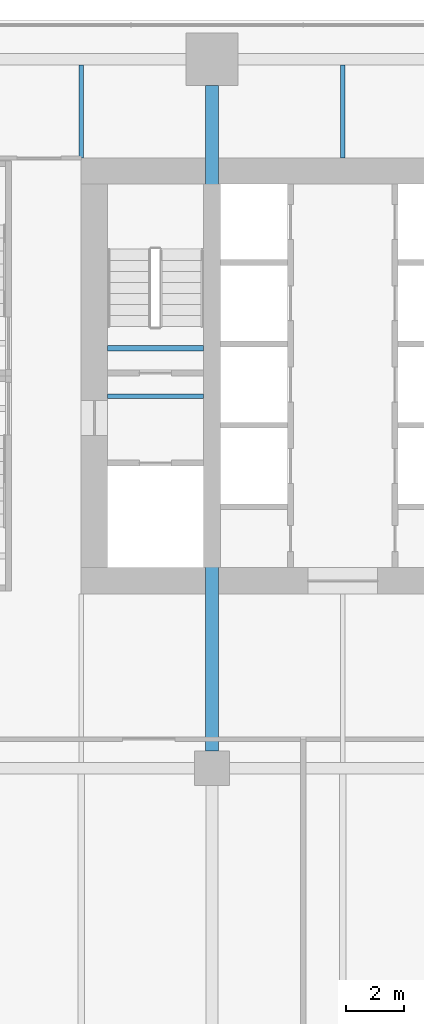
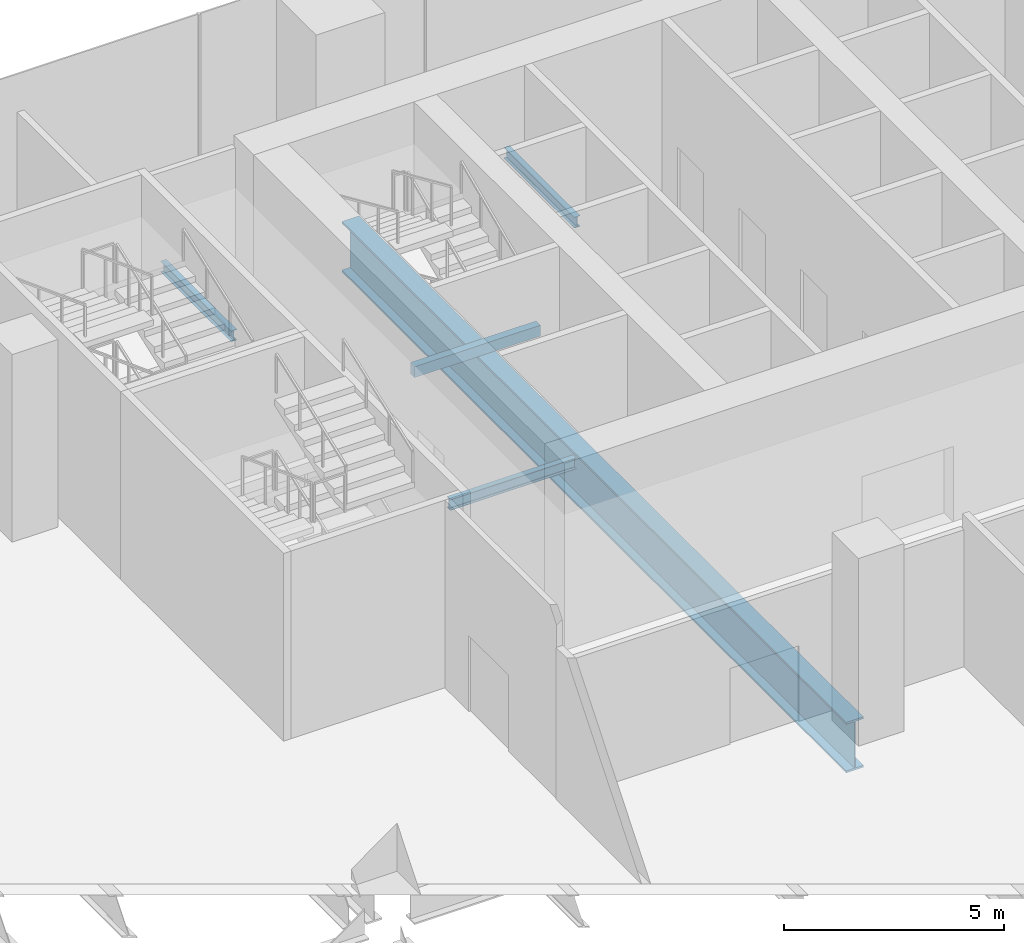
# One storey, part 10 of 26: 5 beams.
"""IFC4 building model written with IfcOpenShell, lengths in metres."""

import ifcopenshell
import ifcopenshell.guid

model = None  # the IFC model being written
_history = None  # IfcOwnerHistory: only IFC2X3 demands one
_inside = {}  # id of a spatial element -> (the spatial element, [elements in it])
_under = {}  # id of a project, library or spatial element -> (it, [spatial elements below it])
_declared = {}  # id of a project -> (the project, [libraries it declares])
_typed = {}  # id of a type object -> (the type object, [elements of that type])
_made_of = {}  # id of a material, layer set ... -> (it, [elements and type objects made of it])


def new_model(schema):
    """Start an empty IFC model of exactly this schema.

    Asked for "IFC4X3", IfcOpenShell would pick the latest addendum, in which some entities
    have other attributes; the version numbers below select the first issue.
    IFC2X3 requires an IfcOwnerHistory on every rooted entity: one is made here for all.
    """
    global model, _history
    if schema == "IFC4X3":
        model = ifcopenshell.file(schema_version=(4, 3, 0, 0))
    else:
        model = ifcopenshell.file(schema=schema)
    _inside.clear()
    _under.clear()
    _declared.clear()
    _typed.clear()
    _made_of.clear()
    _history = None
    if model.schema == "IFC2X3":
        org = make("IfcOrganization", Name="unknown")
        user = make(
            "IfcPersonAndOrganization",
            ThePerson=make("IfcPerson", FamilyName="unknown"),
            TheOrganization=org,
        )
        app = make(
            "IfcApplication",
            ApplicationDeveloper=org,
            Version="unknown",
            ApplicationFullName="unknown",
            ApplicationIdentifier="unknown",
        )
        _history = make(
            "IfcOwnerHistory",
            OwningUser=user,
            OwningApplication=app,
            ChangeAction="ADDED",
            CreationDate=0,
        )
    return model


def make(cls, **values):
    """One entity of the class cls with the attributes given. An attribute that is None is left unset."""
    return model.create_entity(
        cls, **{name: value for name, value in values.items() if value is not None}
    )


def rooted(cls, **values):
    """An entity with a GlobalId (a new one), such as an element, a storey or a relation."""
    return make(cls, GlobalId=ifcopenshell.guid.new(), OwnerHistory=_history, **values)


def si_unit(unit_type, name, prefix=None):
    """IfcSIUnit, for example si_unit("LENGTHUNIT", "METRE", prefix="MILLI")."""
    return make("IfcSIUnit", UnitType=unit_type, Prefix=prefix, Name=name)


def assignment(units):
    """IfcUnitAssignment: the units of a project."""
    return None if units is None else make("IfcUnitAssignment", Units=units)


def point(xyz):
    """IfcCartesianPoint."""
    return None if xyz is None else make("IfcCartesianPoint", Coordinates=xyz)


def direction(xyz):
    """IfcDirection."""
    return None if xyz is None else make("IfcDirection", DirectionRatios=xyz)


def frame(location, z_axis=None, x_axis=None):
    """IfcAxis2Placement3D, a coordinate frame: its origin and axes. An axis left out is left unset."""
    return make(
        "IfcAxis2Placement3D",
        Location=point(location),
        Axis=direction(z_axis),
        RefDirection=direction(x_axis),
    )


def frame_2d(location, x_axis=None):
    """IfcAxis2Placement2D, a coordinate frame in the plane: its origin and x axis."""
    return make(
        "IfcAxis2Placement2D", Location=point(location), RefDirection=direction(x_axis)
    )


def origin():
    """The frame at (0, 0, 0) with its axes left unset."""
    return frame((0.0, 0.0, 0.0))


def origin_2d():
    """The frame at (0, 0) in the plane with its x axis left unset."""
    return frame_2d((0.0, 0.0))


def place(relative_to, where):
    """IfcLocalPlacement: puts the frame where relative to a parent placement (None: the world)."""
    return make(
        "IfcLocalPlacement", PlacementRelTo=relative_to, RelativePlacement=where
    )


def context(
    kind, dimensions, precision=None, world=None, true_north=None, identifier=None
):
    """IfcGeometricRepresentationContext, for example the 3D "Model" context."""
    return make(
        "IfcGeometricRepresentationContext",
        ContextIdentifier=identifier,
        ContextType=kind,
        CoordinateSpaceDimension=dimensions,
        Precision=precision,
        WorldCoordinateSystem=world,
        TrueNorth=true_north,
    )


def subcontext(parent, identifier, kind, view, scale=None):
    """IfcGeometricRepresentationSubContext, for example "Body" below "Model"."""
    return make(
        "IfcGeometricRepresentationSubContext",
        ContextIdentifier=identifier,
        ContextType=kind,
        ParentContext=parent,
        TargetScale=scale,
        TargetView=view,
    )


def project(units=None, contexts=None):
    """IfcProject with its units and contexts."""
    return rooted(
        "IfcProject",
        Name="project",
        RepresentationContexts=contexts,
        UnitsInContext=assignment(units),
    )


def spatial(cls, under=None, at=None, **own):
    """A site, building, storey or space (cls), placed at a placement, below another one or the project."""
    s = rooted(cls, ObjectPlacement=at, **own)
    if under is not None:
        _under.setdefault(under.id(), (under, []))[1].append(s)
    return s


def profile(cls, at=None, kind="AREA", **sizes):
    """A parametric profile (cls). Its sizes go by their IFC names, for example OverallWidth=200.0."""
    return make(cls, ProfileType=kind, Position=at, **sizes)


def rectangle(**sizes):
    """IfcRectangleProfileDef."""
    return profile("IfcRectangleProfileDef", **sizes)


def i_section(**sizes):
    """IfcIShapeProfileDef."""
    return profile("IfcIShapeProfileDef", **sizes)


def extrude(swept, where, along, depth):
    """IfcExtrudedAreaSolid: the profile swept, set in the frame where, extruded along a direction by depth."""
    return make(
        "IfcExtrudedAreaSolid",
        SweptArea=swept,
        Position=where,
        ExtrudedDirection=direction(along),
        Depth=depth,
    )


def shape(context_of_items, identifier, shape_type, items):
    """IfcShapeRepresentation: the items that make up one representation, for example the "Body"."""
    return make(
        "IfcShapeRepresentation",
        ContextOfItems=context_of_items,
        RepresentationIdentifier=identifier,
        RepresentationType=shape_type,
        Items=items,
    )


def material(Name=None, Category=None):
    """IfcMaterial."""
    return make("IfcMaterial", Name=Name, Category=Category)


def material_profile(
    of_material, cross_section, Name=None, Category=None, Priority=None
):
    """IfcMaterialProfile: a cross section and its material."""
    return make(
        "IfcMaterialProfile",
        Name=Name,
        Material=of_material,
        Profile=cross_section,
        Priority=Priority,
        Category=Category,
    )


def profile_set(profiles, Name=None, composite=None):
    """IfcMaterialProfileSet."""
    return make(
        "IfcMaterialProfileSet",
        Name=Name,
        MaterialProfiles=profiles,
        CompositeProfile=composite,
    )


def made_of(thing, what):
    """Note that an element or type object is made of a material, layer set ...; save() writes the relation."""
    if what is not None:
        _made_of.setdefault(what.id(), (what, []))[1].append(thing)
    return thing


def type_object(cls, material=None, **own):
    """A type object (cls), such as IfcWallType, which elements share."""
    return made_of(rooted(cls, **own), material)


def element(
    cls,
    number,
    at=None,
    inside=None,
    cuts=None,
    type_object=None,
    material=None,
    context=None,
    identifier="Body",
    shape_type=None,
    held_by="IfcProductDefinitionShape",
    body=None,
    shapes=None,
    **own,
):
    """One element of the class cls, such as IfcWall. Its Tag is "e" and its number.

    at: its placement. inside: the storey or other place that contains it. cuts: it is an
    opening in that element (IfcRelVoidsElement). A single representation is given by context,
    identifier, shape_type and body (its items); several are given by shapes. held_by: the class
    of the entity that holds the representations. save() writes the other relations.
    """
    e = rooted(cls, Tag="e%d" % number, ObjectPlacement=at, **own)
    if body is not None:
        shapes = [shape(context, identifier, shape_type, body)]
    if shapes is not None:
        e.Representation = make(held_by, Representations=shapes)
    if inside is not None:
        _inside.setdefault(inside.id(), (inside, []))[1].append(e)
    if cuts is not None:
        rooted(
            "IfcRelVoidsElement", RelatingBuildingElement=cuts, RelatedOpeningElement=e
        )
    if type_object is not None:
        _typed.setdefault(type_object.id(), (type_object, []))[1].append(e)
    return made_of(e, material)


def aggregate(whole, parts):
    """IfcRelAggregates: a whole, such as a stair, and the parts it consists of."""
    return rooted("IfcRelAggregates", RelatingObject=whole, RelatedObjects=parts)


def save(model, path):
    """Write the relations noted so far, then the file.

    IfcRelAggregates (storeys below a building ...), IfcRelContainedInSpatialStructure (elements
    in a storey), IfcRelDefinesByType, IfcRelAssociatesMaterial and IfcRelDeclares: one each for
    every whole, place, type object, material and project.
    """
    for whole, parts in _under.values():
        aggregate(whole, parts)
    for where, things in _inside.values():
        rooted(
            "IfcRelContainedInSpatialStructure",
            RelatedElements=things,
            RelatingStructure=where,
        )
    for kind, things in _typed.values():
        rooted("IfcRelDefinesByType", RelatedObjects=things, RelatingType=kind)
    for what, things in _made_of.values():
        rooted("IfcRelAssociatesMaterial", RelatedObjects=things, RelatingMaterial=what)
    for by, libraries in _declared.values():
        rooted("IfcRelDeclares", RelatingContext=by, RelatedDefinitions=libraries)
    model.write(path)


model = new_model("IFC4")

# Units and contexts
model_context = context("Model", 3, precision=1e-05, world=origin(), true_north=direction((0.0, 1.0)))
body_context = subcontext(model_context, "Body", "Model", "MODEL_VIEW")
ifc_project = project(units=[si_unit("LENGTHUNIT", "METRE"), si_unit("AREAUNIT", "SQUARE_METRE"), si_unit("VOLUMEUNIT", "CUBIC_METRE"), si_unit("PLANEANGLEUNIT", "RADIAN"), si_unit("MASSUNIT", "GRAM", prefix="KILO")], contexts=[model_context])

# Site, building, storey
site_placement = place(None, origin())
site = spatial("IfcSite", under=ifc_project, at=site_placement, CompositionType="ELEMENT")
building_placement = place(site_placement, origin())
building = spatial("IfcBuilding", under=site, at=building_placement, Name="Rattan Terrace Tower", CompositionType="ELEMENT")
storey_placement = place(building_placement, frame((0.0, 0.0, 7.199951171875)))
storey = spatial("IfcBuildingStorey", under=building, at=storey_placement, Name="L01", CompositionType="ELEMENT", Elevation=7.199951171875)

# Beams
ifc_material_1 = material(Name="Concrete C40/50", Category="concrete")
ifc_material_profile_1 = material_profile(ifc_material_1, rectangle(XDim=0.199951171875, YDim=0.300048828125, at=origin_2d()), Name="RC 200x300")
ifc_profile_set_1 = profile_set([ifc_material_profile_1], Name="Concrete C40/50")
beam_type_1 = type_object("IfcBeamType", Name="Core landing beam RC 200x300", PredefinedType="BEAM", material=ifc_profile_set_1)
beam_1_placement = place(storey_placement, frame((-17.10009765625, 0.949951171875, 2.35009765625), z_axis=(1.0, 0.0, 0.0), x_axis=(0.0, 1.0, 0.0)))
element("IfcBeam", 1, at=beam_1_placement, inside=storey, type_object=beam_type_1, Name="st-S1-L01 landing 2 edge beam", PredefinedType="BEAM", context=body_context, shape_type="SweptSolid", body=[
    extrude(rectangle(XDim=0.199951171875, YDim=0.300048828125, at=origin_2d()), origin(), (0.0, 0.0, 1.0), 3.300048828125),
])
ifc_material_2 = material(Name="Steel S355", Category="steel")
ifc_material_profile_2 = material_profile(ifc_material_2, i_section(OverallWidth=0.14990234375, OverallDepth=0.300048828125, WebThickness=0.007080078125, FlangeThickness=0.0107421875, FilletRadius=0.014892578125, at=origin_2d()), Name="IPE 300")
ifc_profile_set_2 = profile_set([ifc_material_profile_2], Name="Steel S355")
beam_type_2 = type_object("IfcBeamType", Name="Frame floor beam IPE 300", PredefinedType="JOIST", material=ifc_profile_set_2)
beam_2_placement = place(storey_placement, frame((-17.10009765625, -0.695068359375, -0.349853515625), z_axis=(1.0, 0.0, 0.0), x_axis=(0.0, 1.0, 0.0)))
element("IfcBeam", 2, at=beam_2_placement, inside=storey, type_object=beam_type_2, Name="bm-L01-001", PredefinedType="JOIST", context=body_context, shape_type="SweptSolid", body=[
    extrude(i_section(OverallWidth=0.14990234375, OverallDepth=0.300048828125, WebThickness=0.007080078125, FlangeThickness=0.0107421875, FilletRadius=0.014892578125, at=origin_2d()), origin(), (0.0, 0.0, 1.0), 3.300048828125),
])
for number, where, z_axis, x_axis, name in (
    (3, (-18.0, 7.5, -0.349853515625), (0.0, 1.0, 0.0), (-1.0, 0.0, 0.0), "bm-L01-045"),
    (4, (-9.0, 7.5, -0.349853515625), (0.0, 1.0, 0.0), (-1.0, 0.0, 0.0), "bm-L01-046"),
):
    element("IfcBeam", number, at=place(storey_placement, frame(where, z_axis=z_axis, x_axis=x_axis)), inside=storey, type_object=beam_type_2, Name=name, PredefinedType="JOIST", context=body_context, shape_type="SweptSolid", body=[
        extrude(i_section(OverallWidth=0.14990234375, OverallDepth=0.300048828125, WebThickness=0.007080078125, FlangeThickness=0.0107421875, FilletRadius=0.014892578125, at=origin_2d()), origin(), (0.0, 0.0, 1.0), 3.199951171875),
    ])
ifc_material_3 = material(Name="Steel S460", Category="steel")
ifc_material_profile_3 = material_profile(ifc_material_3, i_section(OverallWidth=0.449951171875, OverallDepth=1.39990234375, WebThickness=0.02197265625, FlangeThickness=0.054931640625, at=origin_2d()), Name="PG 1400x450-22-55")
ifc_profile_set_3 = profile_set([ifc_material_profile_3], Name="Steel S460")
beam_type_3 = type_object("IfcBeamType", Name="Frame podium girder PG 1400x450-22-55", PredefinedType="USERDEFINED", material=ifc_profile_set_3)
beam_3_placement = place(storey_placement, frame((-13.5, -12.89990234375, -0.89990234375), z_axis=(0.0, 1.0, 0.0), x_axis=(-1.0, 0.0, 0.0)))
element("IfcBeam", 5, at=beam_3_placement, inside=storey, type_object=beam_type_3, Name="gdr-L01-034", ObjectType="PODIUM GIRDER", PredefinedType="USERDEFINED", context=body_context, shape_type="SweptSolid", body=[
    extrude(i_section(OverallWidth=0.449951171875, OverallDepth=1.39990234375, WebThickness=0.02197265625, FlangeThickness=0.054931640625, at=origin_2d()), origin(), (0.0, 0.0, 1.0), 22.89990234375),
])

save(model, "model.ifc")
